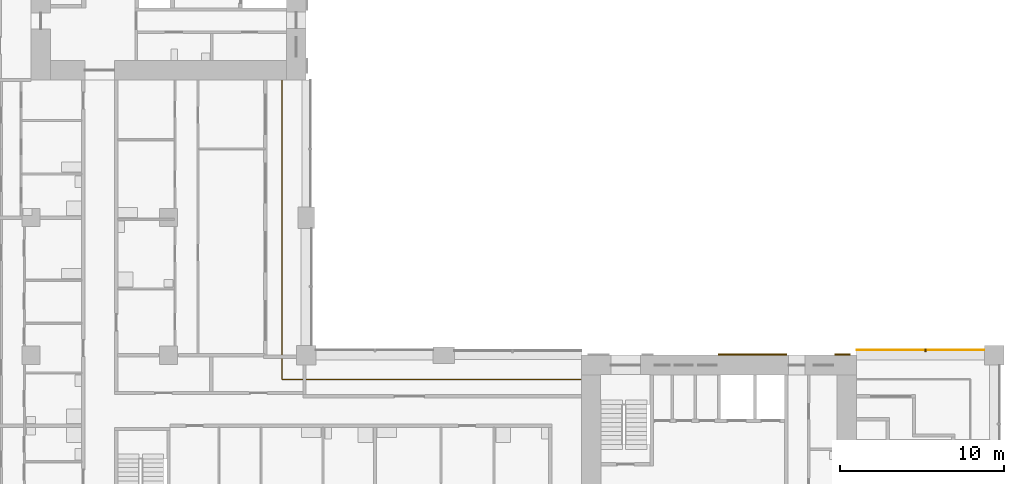
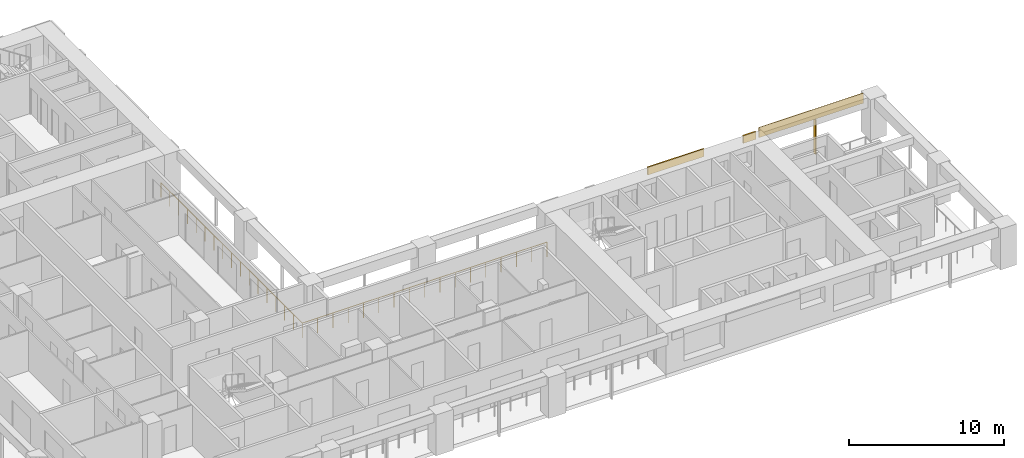
# One storey, part 13 of 17: 4 shading devices, 1 railing.
"""IFC4 building model written with IfcOpenShell, lengths in metres."""

from ifc_helpers import new_model, si_unit, direction, frame, origin, origin_2d, place, context, subcontext, project, spatial, rectangle, circle, extrude, material, layer, layer_set, material_profile, profile_set, type_object, element, save


model = new_model("IFC4")

# Units and contexts
model_context = context("Model", 3, precision=1e-05, world=origin(), true_north=direction((0.0, 1.0)))
body_context = subcontext(model_context, "Body", "Model", "MODEL_VIEW")
ifc_project = project(units=[si_unit("LENGTHUNIT", "METRE"), si_unit("AREAUNIT", "SQUARE_METRE"), si_unit("VOLUMEUNIT", "CUBIC_METRE"), si_unit("PLANEANGLEUNIT", "RADIAN"), si_unit("MASSUNIT", "GRAM", prefix="KILO")], contexts=[model_context])

# Site, building, storey
site_placement = place(None, origin())
site = spatial("IfcSite", under=ifc_project, at=site_placement, CompositionType="ELEMENT")
building_placement = place(site_placement, origin())
building = spatial("IfcBuilding", under=site, at=building_placement, Name="Vermilion Gate Residences", CompositionType="ELEMENT")
storey_placement = place(building_placement, frame((0.0, 0.0, 116.199951171875)))
storey = spatial("IfcBuildingStorey", under=building, at=storey_placement, Name="L29", CompositionType="ELEMENT", Elevation=116.199951171875)

# Railing
ifc_material_1 = material(Name="Stainless steel and toughened glass", Category="steel")
railing_type = type_object("IfcRailingType", Name="LOGGIA GUARD STEEL AND GLASS 1200", PredefinedType="GUARDRAIL", material=ifc_material_1)
railing_placement = place(storey_placement, frame((41.97802734375, 23.72509765625, 0.0)))
element("IfcRailing", 1, at=railing_placement, inside=storey, type_object=railing_type, Name="Loggia guard", PredefinedType="GUARDRAIL", context=body_context, shape_type="SweptSolid", body=[
    extrude(circle(Radius=0.030029296875, at=origin_2d()), frame((0.0, 0.0, 1.169921875), z_axis=(-1.0, 0.0, 0.0), x_axis=(0.0, -1.0, 0.0)), (0.0, 0.0, 1.0), 18.2529296875),
    extrude(circle(Radius=0.030029296875, at=origin_2d()), frame((-18.2529296875, 0.0, 1.169921875), z_axis=(0.0, 1.0, 0.0), x_axis=(-1.0, 0.0, 0.0)), (0.0, 0.0, 1.0), 18.2529296875),
    extrude(circle(Radius=0.02490234375, at=origin_2d()), origin(), (0.0, 0.0, 1.0), 1.139892578125),
    extrude(circle(Radius=0.02490234375, at=origin_2d()), frame((-1.140869140625, 0.0, 0.0)), (0.0, 0.0, 1.0), 1.139892578125),
    extrude(circle(Radius=0.02490234375, at=origin_2d()), frame((-2.28173828125, 0.0, 0.0)), (0.0, 0.0, 1.0), 1.139892578125),
    extrude(circle(Radius=0.02490234375, at=origin_2d()), frame((-3.42236328125, 0.0, 0.0)), (0.0, 0.0, 1.0), 1.139892578125),
    extrude(circle(Radius=0.02490234375, at=origin_2d()), frame((-4.563232421875, 0.0, 0.0)), (0.0, 0.0, 1.0), 1.139892578125),
    extrude(circle(Radius=0.02490234375, at=origin_2d()), frame((-5.7041015625, 0.0, 0.0)), (0.0, 0.0, 1.0), 1.139892578125),
    extrude(circle(Radius=0.02490234375, at=origin_2d()), frame((-6.8447265625, 0.0, 0.0)), (0.0, 0.0, 1.0), 1.139892578125),
    extrude(circle(Radius=0.02490234375, at=origin_2d()), frame((-7.985595703125, 0.0, 0.0)), (0.0, 0.0, 1.0), 1.139892578125),
    extrude(circle(Radius=0.02490234375, at=origin_2d()), frame((-9.12646484375, 0.0, 0.0)), (0.0, 0.0, 1.0), 1.139892578125),
    extrude(circle(Radius=0.02490234375, at=origin_2d()), frame((-10.267333984375, 0.0, 0.0)), (0.0, 0.0, 1.0), 1.139892578125),
    extrude(circle(Radius=0.02490234375, at=origin_2d()), frame((-11.408203125, 0.0, 0.0)), (0.0, 0.0, 1.0), 1.139892578125),
    extrude(circle(Radius=0.02490234375, at=origin_2d()), frame((-12.548828125, 0.0, 0.0)), (0.0, 0.0, 1.0), 1.139892578125),
    extrude(circle(Radius=0.02490234375, at=origin_2d()), frame((-13.689697265625, 0.0, 0.0)), (0.0, 0.0, 1.0), 1.139892578125),
    extrude(circle(Radius=0.02490234375, at=origin_2d()), frame((-14.83056640625, 0.0, 0.0)), (0.0, 0.0, 1.0), 1.139892578125),
    extrude(circle(Radius=0.02490234375, at=origin_2d()), frame((-15.97119140625, 0.0, 0.0)), (0.0, 0.0, 1.0), 1.139892578125),
    extrude(circle(Radius=0.02490234375, at=origin_2d()), frame((-17.112060546875, 0.0, 0.0)), (0.0, 0.0, 1.0), 1.139892578125),
    extrude(circle(Radius=0.02490234375, at=origin_2d()), frame((-18.2529296875, 0.0, 0.0)), (0.0, 0.0, 1.0), 1.139892578125),
    extrude(circle(Radius=0.02490234375, at=origin_2d()), frame((-18.2529296875, 1.140869140625, 0.0)), (0.0, 0.0, 1.0), 1.139892578125),
    extrude(circle(Radius=0.02490234375, at=origin_2d()), frame((-18.2529296875, 2.28173828125, 0.0)), (0.0, 0.0, 1.0), 1.139892578125),
    extrude(circle(Radius=0.02490234375, at=origin_2d()), frame((-18.2529296875, 3.42236328125, 0.0)), (0.0, 0.0, 1.0), 1.139892578125),
    extrude(circle(Radius=0.02490234375, at=origin_2d()), frame((-18.2529296875, 4.563232421875, 0.0)), (0.0, 0.0, 1.0), 1.139892578125),
    extrude(circle(Radius=0.02490234375, at=origin_2d()), frame((-18.2529296875, 5.7041015625, 0.0)), (0.0, 0.0, 1.0), 1.139892578125),
    extrude(circle(Radius=0.02490234375, at=origin_2d()), frame((-18.2529296875, 6.8447265625, 0.0)), (0.0, 0.0, 1.0), 1.139892578125),
    extrude(circle(Radius=0.02490234375, at=origin_2d()), frame((-18.2529296875, 7.985595703125, 0.0)), (0.0, 0.0, 1.0), 1.139892578125),
    extrude(circle(Radius=0.02490234375, at=origin_2d()), frame((-18.2529296875, 9.12646484375, 0.0)), (0.0, 0.0, 1.0), 1.139892578125),
    extrude(circle(Radius=0.02490234375, at=origin_2d()), frame((-18.2529296875, 10.267333984375, 0.0)), (0.0, 0.0, 1.0), 1.139892578125),
    extrude(circle(Radius=0.02490234375, at=origin_2d()), frame((-18.2529296875, 11.408203125, 0.0)), (0.0, 0.0, 1.0), 1.139892578125),
    extrude(circle(Radius=0.02490234375, at=origin_2d()), frame((-18.2529296875, 12.548828125, 0.0)), (0.0, 0.0, 1.0), 1.139892578125),
    extrude(circle(Radius=0.02490234375, at=origin_2d()), frame((-18.2529296875, 13.689697265625, 0.0)), (0.0, 0.0, 1.0), 1.139892578125),
    extrude(circle(Radius=0.02490234375, at=origin_2d()), frame((-18.2529296875, 14.83056640625, 0.0)), (0.0, 0.0, 1.0), 1.139892578125),
    extrude(circle(Radius=0.02490234375, at=origin_2d()), frame((-18.2529296875, 15.97119140625, 0.0)), (0.0, 0.0, 1.0), 1.139892578125),
    extrude(circle(Radius=0.02490234375, at=origin_2d()), frame((-18.2529296875, 17.112060546875, 0.0)), (0.0, 0.0, 1.0), 1.139892578125),
    extrude(circle(Radius=0.02490234375, at=origin_2d()), frame((-18.2529296875, 18.2529296875, 0.0)), (0.0, 0.0, 1.0), 1.139892578125),
])

# Shading devices
ifc_material_2 = material(Name="Perforated terracotta", Category="masonry")
ifc_layer_1 = layer(ifc_material_2, 0.0400390625)
ifc_layer_set_1 = layer_set([ifc_layer_1], Name="PERFORATED TERRACOTTA SCREEN 40")
shading_device_type_1 = type_object("IfcShadingDeviceType", Name="PERFORATED TERRACOTTA SCREEN 40", PredefinedType="SHUTTER", material=ifc_layer_set_1)
shading_device_1_placement = place(storey_placement, frame((62.699951171875, 25.52001953125, 2.419921875), z_axis=(0.0, 0.0, 1.0), x_axis=(-1.0, 0.0, 0.0)))
element("IfcShadingDevice", 2, at=shading_device_1_placement, inside=storey, type_object=shading_device_type_1, Name="SCREEN", PredefinedType="SHUTTER", context=body_context, shape_type="SweptSolid", body=[
    extrude(rectangle(XDim=7.800048828125, YDim=0.0400390625, at=origin_2d()), origin(), (0.0, 0.0, 1.0), 0.800048828125),
])
ifc_material_3 = material(Name="Extruded terracotta", Category="masonry")
ifc_material_profile = material_profile(ifc_material_3, rectangle(XDim=0.199951171875, YDim=0.10009765625, at=origin_2d()), Name="BAGUETTE 100 X 200")
ifc_profile_set = profile_set([ifc_material_profile], Name="Extruded terracotta")
shading_device_type_2 = type_object("IfcShadingDeviceType", Name="TERRACOTTA BAGUETTE 100 X 200", PredefinedType="JALOUSIE", material=ifc_profile_set)
shading_device_2_placement = place(storey_placement, frame((63.0, 25.5, -0.280029296875), z_axis=(0.0, 0.0, 1.0), x_axis=(0.0, -1.0, 0.0)))
element("IfcShadingDevice", 3, at=shading_device_2_placement, inside=storey, type_object=shading_device_type_2, Name="BAGUETTE", PredefinedType="JALOUSIE", context=body_context, shape_type="SweptSolid", body=[
    extrude(rectangle(XDim=0.199951171875, YDim=0.10009765625, at=origin_2d()), origin(), (0.0, 0.0, 1.0), 2.7001953125),
])
ifc_material_4 = material(Name="Extruded terracotta", Category="masonry")
ifc_layer_2 = layer(ifc_material_4, 0.10009765625)
ifc_layer_set_2 = layer_set([ifc_layer_2], Name="TERRACOTTA SPANDREL BAND 600 X 100")
shading_device_type_3 = type_object("IfcShadingDeviceType", Name="TERRACOTTA SPANDREL BAND 600 X 100", PredefinedType="USERDEFINED", material=ifc_layer_set_2)
shading_device_3_placement = place(storey_placement, frame((52.449951171875, 25.25, 2.6201171875), z_axis=(0.0, 0.0, 1.0), x_axis=(1.0, 0.0, 0.0)))
element("IfcShadingDevice", 4, at=shading_device_3_placement, inside=storey, type_object=shading_device_type_3, Name="SPANDREL BAND", ObjectType="BAND", PredefinedType="USERDEFINED", context=body_context, shape_type="SweptSolid", body=[
    extrude(rectangle(XDim=4.199951171875, YDim=0.10009765625, at=origin_2d()), origin(), (0.0, 0.0, 1.0), 0.60009765625),
])
shading_device_4_placement = place(storey_placement, frame((57.9375, 25.25, 2.6201171875), z_axis=(0.0, 0.0, 1.0), x_axis=(1.0, 0.0, 0.0)))
element("IfcShadingDevice", 5, at=shading_device_4_placement, inside=storey, type_object=shading_device_type_3, Name="SPANDREL BAND", ObjectType="BAND", PredefinedType="USERDEFINED", context=body_context, shape_type="SweptSolid", body=[
    extrude(rectangle(XDim=0.925048828125, YDim=0.10009765625, at=origin_2d()), origin(), (0.0, 0.0, 1.0), 0.60009765625),
])

save(model, "model.ifc")
